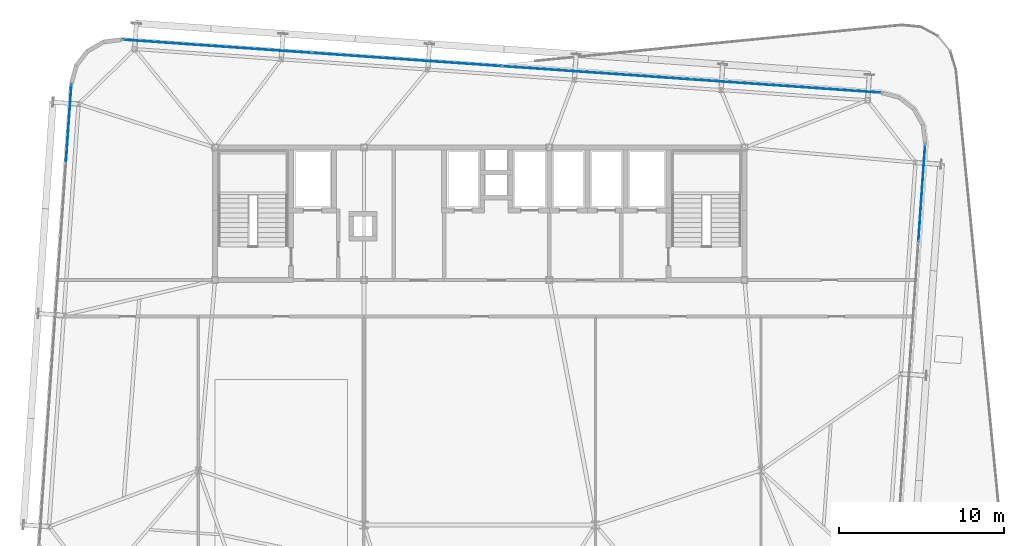
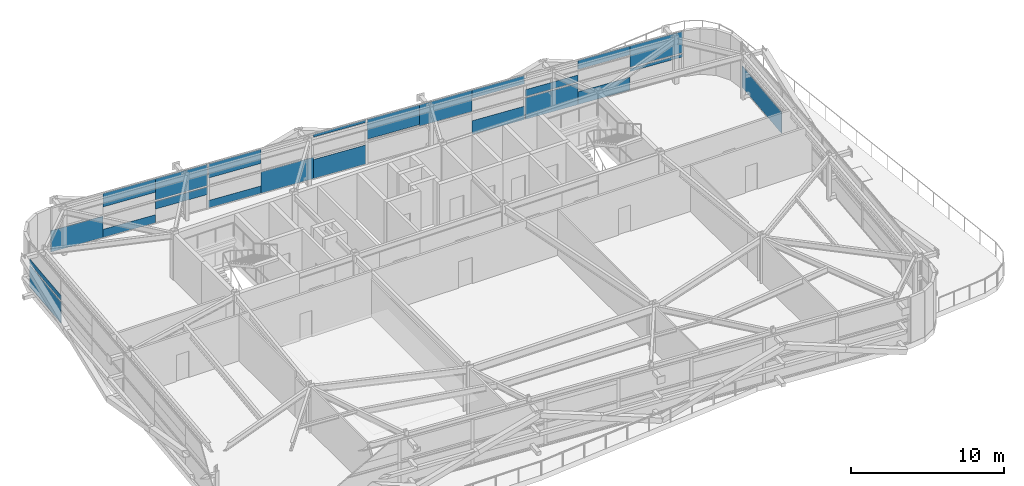
# One storey, part 24 of 36: 23 plates, 5 elements without a shape of their own.
"""IFC4 building model written with IfcOpenShell, lengths in metres."""

from ifc_helpers import new_model, si_unit, direction, frame, origin, origin_2d, place, context, subcontext, project, spatial, rectangle, extrude, source, transform, mapped, material, layer, layer_set, type_object, element, aggregate, save


model = new_model("IFC4")

# Units and contexts
model_context = context("Model", 3, precision=1e-05, world=origin(), true_north=direction((0.0, 1.0)))
body_context = subcontext(model_context, "Body", "Model", "MODEL_VIEW")
ifc_project = project(units=[si_unit("LENGTHUNIT", "METRE"), si_unit("AREAUNIT", "SQUARE_METRE"), si_unit("VOLUMEUNIT", "CUBIC_METRE"), si_unit("PLANEANGLEUNIT", "RADIAN"), si_unit("MASSUNIT", "GRAM", prefix="KILO")], contexts=[model_context])

# Site, building, storey
site_placement = place(None, origin())
site = spatial("IfcSite", under=ifc_project, at=site_placement, CompositionType="ELEMENT")
building_placement = place(site_placement, origin())
building = spatial("IfcBuilding", under=site, at=building_placement, Name="Taldren Reach Tower", CompositionType="ELEMENT")
storey_placement = place(building_placement, frame((0.0, 0.0, 116.550048828125)))
storey = spatial("IfcBuildingStorey", under=building, at=storey_placement, Name="L35", CompositionType="ELEMENT", Elevation=116.550048828125)

# Curtain wall, plate
ifc_material_1 = material(Name="Aluminium and Low-E Glass Unitised System", Category="aluminium")
ifc_layer_1 = layer(ifc_material_1, 0.159912109375)
ifc_layer_set_1 = layer_set([ifc_layer_1], Name="Aluminium and Low-E Glass Unitised System")
curtain_wall_type = type_object("IfcCurtainWallType", Name="CW-SYS-7", PredefinedType="NOTDEFINED", material=ifc_layer_set_1)
curtain_wall_1_placement = place(storey_placement, origin())
curtain_wall_1 = element("IfcCurtainWall", 1, at=curtain_wall_1_placement, inside=storey, type_object=curtain_wall_type, Name="Unitised curtain wall CW-L35-E2", PredefinedType="NOTDEFINED")
ifc_material_2 = material(Name="Acoustic Triple-Laminated IGU", Category="glass")
ifc_layer_2 = layer(ifc_material_2, 0.035888671875)
ifc_layer_set_2 = layer_set([ifc_layer_2], Name="Acoustic Triple-Laminated IGU")
plate_type = type_object("IfcPlateType", Name="CW-PNL-IGU36", PredefinedType="CURTAIN_PANEL", material=ifc_layer_set_2)
shared_shape_1 = source(origin(), body_context, "Body", "SweptSolid", [
    extrude(rectangle(XDim=5.885009765625, YDim=0.035888671875, at=origin_2d()), origin(), (0.0, 0.0, 1.0), 1.695068359375),
])
plate_1_placement = place(storey_placement, frame((61.713134765625, 29.251953125, 0.06005859375), z_axis=(0.0, 0.0, 1.0), x_axis=(0.069756569329, 0.997564043576, 0.0)))
plate_1 = element("IfcPlate", 2, at=plate_1_placement, type_object=plate_type, Name="CW-7 panel 4.1", PredefinedType="CURTAIN_PANEL", context=body_context, shape_type="MappedRepresentation", body=[
    mapped(shared_shape_1, transform((0.0, 0.0, 0.0), scale=1.0)),
])
aggregate(curtain_wall_1, [plate_1])

# Curtain wall, plates
curtain_wall_2_placement = place(storey_placement, origin())
curtain_wall_2 = element("IfcCurtainWall", 3, at=curtain_wall_2_placement, inside=storey, type_object=curtain_wall_type, Name="Unitised curtain wall CW-L35-N", PredefinedType="NOTDEFINED")
shared_shape_2 = source(origin(), body_context, "Body", "SweptSolid", [
    extrude(rectangle(XDim=3.7958984375, YDim=0.035888671875, at=origin_2d()), origin(), (0.0, 0.0, 1.0), 0.230224609375),
])
plate_2_placement = place(storey_placement, frame((57.302001953125, 35.4521484375, 1.52490234375), z_axis=(0.0, 0.0, 1.0), x_axis=(-0.99756404731, 0.06975651593, 0.0)))
plate_2 = element("IfcPlate", 4, at=plate_2_placement, type_object=plate_type, Name="CW-7 panel 1.1 part 1", PredefinedType="CURTAIN_PANEL", context=body_context, shape_type="MappedRepresentation", body=[
    mapped(shared_shape_2, transform((0.0, 0.0, 0.0), scale=1.0)),
])
shared_shape_3 = source(origin(), body_context, "Body", "SweptSolid", [
    extrude(rectangle(XDim=3.7958984375, YDim=0.035888671875, at=origin_2d()), origin(), (0.0, 0.0, 1.0), 1.02001953125),
])
plate_3_placement = place(storey_placement, frame((53.515380859375, 35.717041015625, 0.06005859375), z_axis=(0.0, 0.0, 1.0), x_axis=(-0.99756404731, 0.06975651593, 0.0)))
plate_3 = element("IfcPlate", 5, at=plate_3_placement, type_object=plate_type, Name="CW-7 panel 1.1 part 2", PredefinedType="CURTAIN_PANEL", context=body_context, shape_type="MappedRepresentation", body=[
    mapped(shared_shape_3, transform((0.0, 0.0, 0.0), scale=1.0)),
])
shared_shape_4 = source(origin(), body_context, "Body", "SweptSolid", [
    extrude(rectangle(XDim=3.7958984375, YDim=0.035888671875, at=origin_2d()), origin(), (0.0, 0.0, 1.0), 1.695068359375),
])
plate_4_placement = place(storey_placement, frame((49.728759765625, 35.981689453125, 0.06005859375), z_axis=(0.0, 0.0, 1.0), x_axis=(-0.99756404731, 0.06975651593, 0.0)))
plate_4 = element("IfcPlate", 6, at=plate_4_placement, type_object=plate_type, Name="CW-7 panel 1.1 part 3", PredefinedType="CURTAIN_PANEL", context=body_context, shape_type="MappedRepresentation", body=[
    mapped(shared_shape_4, transform((0.0, 0.0, 0.0), scale=1.0)),
])
plate_5_placement = place(storey_placement, frame((15.350341796875, 38.3857421875, 0.06005859375), z_axis=(0.0, 0.0, 1.0), x_axis=(-0.99756404731, 0.06975651593, 0.0)))
plate_5 = element("IfcPlate", 7, at=plate_5_placement, type_object=plate_type, Name="CW-7 panel 4.1 part 3", PredefinedType="CURTAIN_PANEL", context=body_context, shape_type="MappedRepresentation", body=[
    mapped(shared_shape_4, transform((0.0, 0.0, 0.0), scale=1.0)),
])

curtain_wall_3_placement = place(storey_placement, origin())
curtain_wall_3 = element("IfcCurtainWall", 8, at=curtain_wall_3_placement, inside=storey, type_object=curtain_wall_type, Name="Unitised curtain wall CW-L35-N-T2", PredefinedType="NOTDEFINED")
plate_6_placement = place(storey_placement, frame((57.302001953125, 35.4521484375, 1.875), z_axis=(0.0, 0.0, 1.0), x_axis=(-0.99756404731, 0.06975651593, 0.0)))
plate_6 = element("IfcPlate", 9, at=plate_6_placement, type_object=plate_type, Name="CW-7 panel 1.1 part 1", PredefinedType="CURTAIN_PANEL", context=body_context, shape_type="MappedRepresentation", body=[
    mapped(shared_shape_4, transform((0.0, 0.0, 0.0), scale=1.0)),
])
plate_7_placement = place(storey_placement, frame((22.92333984375, 37.856201171875, 1.875), z_axis=(0.0, 0.0, 1.0), x_axis=(-0.99756404731, 0.06975651593, 0.0)))
plate_7 = element("IfcPlate", 10, at=plate_7_placement, type_object=plate_type, Name="CW-7 panel 4.1 part 1", PredefinedType="CURTAIN_PANEL", context=body_context, shape_type="MappedRepresentation", body=[
    mapped(shared_shape_4, transform((0.0, 0.0, 0.0), scale=1.0)),
])

# Plate
shared_shape_5 = source(origin(), body_context, "Body", "SweptSolid", [
    extrude(rectangle(XDim=3.808349609375, YDim=0.035888671875, at=origin_2d()), origin(), (0.0, 0.0, 1.0), 1.070556640625),
])
plate_8_placement = place(storey_placement, frame((45.861083984375, 36.252197265625, 0.06005859375), z_axis=(0.0, 0.0, 1.0), x_axis=(-0.99756404731, 0.06975651593, 0.0)))
plate_8 = element("IfcPlate", 11, at=plate_8_placement, type_object=plate_type, Name="CW-7 panel 2.1 part 1", PredefinedType="CURTAIN_PANEL", context=body_context, shape_type="MappedRepresentation", body=[
    mapped(shared_shape_5, transform((0.0, 0.0, 0.0), scale=1.0)),
])

shared_shape_6 = source(origin(), body_context, "Body", "SweptSolid", [
    extrude(rectangle(XDim=3.808349609375, YDim=0.035888671875, at=origin_2d()), origin(), (0.0, 0.0, 1.0), 1.515869140625),
])
plate_9_placement = place(storey_placement, frame((34.38916015625, 37.054443359375, 0.06005859375), z_axis=(0.0, 0.0, 1.0), x_axis=(-0.99756404731, 0.06975651593, 0.0)))
plate_9 = element("IfcPlate", 12, at=plate_9_placement, type_object=plate_type, Name="CW-7 panel 3.1 part 1", PredefinedType="CURTAIN_PANEL", context=body_context, shape_type="MappedRepresentation", body=[
    mapped(shared_shape_6, transform((0.0, 0.0, 0.0), scale=1.0)),
])

shared_shape_7 = source(origin(), body_context, "Body", "SweptSolid", [
    extrude(rectangle(XDim=3.808349609375, YDim=0.035888671875, at=origin_2d()), origin(), (0.0, 0.0, 1.0), 1.695068359375),
])
plate_10_placement = place(storey_placement, frame((30.590087890625, 37.320068359375, 0.06005859375), z_axis=(0.0, 0.0, 1.0), x_axis=(-0.99756404731, 0.06975651593, 0.0)))
plate_10 = element("IfcPlate", 13, at=plate_10_placement, type_object=plate_type, Name="CW-7 panel 3.1 part 2", PredefinedType="CURTAIN_PANEL", context=body_context, shape_type="MappedRepresentation", body=[
    mapped(shared_shape_7, transform((0.0, 0.0, 0.0), scale=1.0)),
])

plate_11_placement = place(storey_placement, frame((42.06201171875, 36.517822265625, 1.875), z_axis=(0.0, 0.0, 1.0), x_axis=(-0.99756404731, 0.06975651593, 0.0)))
plate_11 = element("IfcPlate", 14, at=plate_11_placement, type_object=plate_type, Name="CW-7 panel 2.1 part 2", PredefinedType="CURTAIN_PANEL", context=body_context, shape_type="MappedRepresentation", body=[
    mapped(shared_shape_7, transform((0.0, 0.0, 0.0), scale=1.0)),
])

shared_shape_8 = source(origin(), body_context, "Body", "SweptSolid", [
    extrude(rectangle(XDim=3.808349609375, YDim=0.035888671875, at=origin_2d()), origin(), (0.0, 0.0, 1.0), 0.59228515625),
])
plate_12_placement = place(storey_placement, frame((26.791015625, 37.585693359375, 0.06005859375), z_axis=(0.0, 0.0, 1.0), x_axis=(-0.99756404731, 0.06975651593, 0.0)))
plate_12 = element("IfcPlate", 15, at=plate_12_placement, type_object=plate_type, Name="CW-7 panel 3.1 part 3", PredefinedType="CURTAIN_PANEL", context=body_context, shape_type="MappedRepresentation", body=[
    mapped(shared_shape_8, transform((0.0, 0.0, 0.0), scale=1.0)),
])

shared_shape_9 = source(origin(), body_context, "Body", "SweptSolid", [
    extrude(rectangle(XDim=3.7958984375, YDim=0.035888671875, at=origin_2d()), origin(), (0.0, 0.0, 1.0), 0.60302734375),
])
plate_13_placement = place(storey_placement, frame((22.92333984375, 37.856201171875, 1.15185546875), z_axis=(0.0, 0.0, 1.0), x_axis=(-0.99756404731, 0.06975651593, 0.0)))
plate_13 = element("IfcPlate", 16, at=plate_13_placement, type_object=plate_type, Name="CW-7 panel 4.1 part 1", PredefinedType="CURTAIN_PANEL", context=body_context, shape_type="MappedRepresentation", body=[
    mapped(shared_shape_9, transform((0.0, 0.0, 0.0), scale=1.0)),
])

shared_shape_10 = source(origin(), body_context, "Body", "SweptSolid", [
    extrude(rectangle(XDim=3.7958984375, YDim=0.035888671875, at=origin_2d()), origin(), (0.0, 0.0, 1.0), 0.647216796875),
])
plate_14_placement = place(storey_placement, frame((19.13671875, 38.120849609375, 0.06005859375), z_axis=(0.0, 0.0, 1.0), x_axis=(-0.99756404731, 0.06975651593, 0.0)))
plate_14 = element("IfcPlate", 17, at=plate_14_placement, type_object=plate_type, Name="CW-7 panel 4.1 part 2", PredefinedType="CURTAIN_PANEL", context=body_context, shape_type="MappedRepresentation", body=[
    mapped(shared_shape_10, transform((0.0, 0.0, 0.0), scale=1.0)),
])

aggregate(curtain_wall_2, [plate_2, plate_3, plate_4, plate_8, plate_9, plate_10, plate_12, plate_13, plate_14, plate_5])

shared_shape_11 = source(origin(), body_context, "Body", "SweptSolid", [
    extrude(rectangle(XDim=3.7958984375, YDim=0.035888671875, at=origin_2d()), origin(), (0.0, 0.0, 1.0), 0.707275390625),
])
plate_15_placement = place(storey_placement, frame((53.515380859375, 35.717041015625, 2.86279296875), z_axis=(0.0, 0.0, 1.0), x_axis=(-0.99756404731, 0.06975651593, 0.0)))
plate_15 = element("IfcPlate", 18, at=plate_15_placement, type_object=plate_type, Name="CW-7 panel 1.1 part 2", PredefinedType="CURTAIN_PANEL", context=body_context, shape_type="MappedRepresentation", body=[
    mapped(shared_shape_11, transform((0.0, 0.0, 0.0), scale=1.0)),
])

shared_shape_12 = source(origin(), body_context, "Body", "SweptSolid", [
    extrude(rectangle(XDim=3.7958984375, YDim=0.035888671875, at=origin_2d()), origin(), (0.0, 0.0, 1.0), 0.54296875),
])
plate_16_placement = place(storey_placement, frame((49.728759765625, 35.981689453125, 1.875), z_axis=(0.0, 0.0, 1.0), x_axis=(-0.99756404731, 0.06975651593, 0.0)))
plate_16 = element("IfcPlate", 19, at=plate_16_placement, type_object=plate_type, Name="CW-7 panel 1.1 part 3", PredefinedType="CURTAIN_PANEL", context=body_context, shape_type="MappedRepresentation", body=[
    mapped(shared_shape_12, transform((0.0, 0.0, 0.0), scale=1.0)),
])

shared_shape_13 = source(origin(), body_context, "Body", "SweptSolid", [
    extrude(rectangle(XDim=3.808349609375, YDim=0.035888671875, at=origin_2d()), origin(), (0.0, 0.0, 1.0), 0.65234375),
])
plate_17_placement = place(storey_placement, frame((45.861083984375, 36.252197265625, 2.91748046875), z_axis=(0.0, 0.0, 1.0), x_axis=(-0.99756404731, 0.06975651593, 0.0)))
plate_17 = element("IfcPlate", 20, at=plate_17_placement, type_object=plate_type, Name="CW-7 panel 2.1 part 1", PredefinedType="CURTAIN_PANEL", context=body_context, shape_type="MappedRepresentation", body=[
    mapped(shared_shape_13, transform((0.0, 0.0, 0.0), scale=1.0)),
])

shared_shape_14 = source(origin(), body_context, "Body", "SweptSolid", [
    extrude(rectangle(XDim=3.808349609375, YDim=0.035888671875, at=origin_2d()), origin(), (0.0, 0.0, 1.0), 1.575927734375),
])
plate_18_placement = place(storey_placement, frame((38.262939453125, 36.783447265625, 1.994140625), z_axis=(0.0, 0.0, 1.0), x_axis=(-0.99756404731, 0.06975651593, 0.0)))
plate_18 = element("IfcPlate", 21, at=plate_18_placement, type_object=plate_type, Name="CW-7 panel 2.1 part 3", PredefinedType="CURTAIN_PANEL", context=body_context, shape_type="MappedRepresentation", body=[
    mapped(shared_shape_14, transform((0.0, 0.0, 0.0), scale=1.0)),
])

shared_shape_15 = source(origin(), body_context, "Body", "SweptSolid", [
    extrude(rectangle(XDim=3.808349609375, YDim=0.035888671875, at=origin_2d()), origin(), (0.0, 0.0, 1.0), 0.20703125),
])
plate_19_placement = place(storey_placement, frame((34.38916015625, 37.054443359375, 3.36279296875), z_axis=(0.0, 0.0, 1.0), x_axis=(-0.99756404731, 0.06975651593, 0.0)))
plate_19 = element("IfcPlate", 22, at=plate_19_placement, type_object=plate_type, Name="CW-7 panel 3.1 part 1", PredefinedType="CURTAIN_PANEL", context=body_context, shape_type="MappedRepresentation", body=[
    mapped(shared_shape_15, transform((0.0, 0.0, 0.0), scale=1.0)),
])

shared_shape_16 = source(origin(), body_context, "Body", "SweptSolid", [
    extrude(rectangle(XDim=3.808349609375, YDim=0.035888671875, at=origin_2d()), origin(), (0.0, 0.0, 1.0), 1.130615234375),
])
plate_20_placement = place(storey_placement, frame((26.791015625, 37.585693359375, 2.439453125), z_axis=(0.0, 0.0, 1.0), x_axis=(-0.99756404731, 0.06975651593, 0.0)))
plate_20 = element("IfcPlate", 23, at=plate_20_placement, type_object=plate_type, Name="CW-7 panel 3.1 part 2", PredefinedType="CURTAIN_PANEL", context=body_context, shape_type="MappedRepresentation", body=[
    mapped(shared_shape_16, transform((0.0, 0.0, 0.0), scale=1.0)),
])

shared_shape_17 = source(origin(), body_context, "Body", "SweptSolid", [
    extrude(rectangle(XDim=3.7958984375, YDim=0.035888671875, at=origin_2d()), origin(), (0.0, 0.0, 1.0), 1.080078125),
])
plate_21_placement = place(storey_placement, frame((19.13671875, 38.120849609375, 2.489990234375), z_axis=(0.0, 0.0, 1.0), x_axis=(-0.99756404731, 0.06975651593, 0.0)))
plate_21 = element("IfcPlate", 24, at=plate_21_placement, type_object=plate_type, Name="CW-7 panel 4.1 part 2", PredefinedType="CURTAIN_PANEL", context=body_context, shape_type="MappedRepresentation", body=[
    mapped(shared_shape_17, transform((0.0, 0.0, 0.0), scale=1.0)),
])

aggregate(curtain_wall_3, [plate_6, plate_15, plate_16, plate_17, plate_11, plate_18, plate_19, plate_20, plate_7, plate_21])

# Curtain wall, plate
curtain_wall_4_placement = place(storey_placement, origin())
curtain_wall_4 = element("IfcCurtainWall", 25, at=curtain_wall_4_placement, inside=storey, type_object=curtain_wall_type, Name="Unitised curtain wall CW-L35-W", PredefinedType="NOTDEFINED")
shared_shape_18 = source(origin(), body_context, "Body", "SweptSolid", [
    extrude(rectangle(XDim=4.629150390625, YDim=0.035888671875, at=origin_2d()), origin(), (0.0, 0.0, 1.0), 1.695068359375),
])
plate_22_placement = place(storey_placement, frame((10.162841796875, 33.486083984375, 0.06005859375), z_axis=(0.0, 0.0, 1.0), x_axis=(-0.069756437251, -0.997564052812, 0.0)))
plate_22 = element("IfcPlate", 26, at=plate_22_placement, type_object=plate_type, Name="CW-7 panel 1.1 part 1", PredefinedType="CURTAIN_PANEL", context=body_context, shape_type="MappedRepresentation", body=[
    mapped(shared_shape_18, transform((0.0, 0.0, 0.0), scale=1.0)),
])
aggregate(curtain_wall_4, [plate_22])

curtain_wall_5_placement = place(storey_placement, origin())
curtain_wall_5 = element("IfcCurtainWall", 27, at=curtain_wall_5_placement, inside=storey, type_object=curtain_wall_type, Name="Unitised curtain wall CW-L35-W-T2", PredefinedType="NOTDEFINED")
shared_shape_19 = source(origin(), body_context, "Body", "SweptSolid", [
    extrude(rectangle(XDim=4.629150390625, YDim=0.035888671875, at=origin_2d()), origin(), (0.0, 0.0, 1.0), 0.402099609375),
])
plate_23_placement = place(storey_placement, frame((10.162841796875, 33.486083984375, 1.875), z_axis=(0.0, 0.0, 1.0), x_axis=(-0.069756437251, -0.997564052812, 0.0)))
plate_23 = element("IfcPlate", 28, at=plate_23_placement, type_object=plate_type, Name="CW-7 panel 1.1 part 1", PredefinedType="CURTAIN_PANEL", context=body_context, shape_type="MappedRepresentation", body=[
    mapped(shared_shape_19, transform((0.0, 0.0, 0.0), scale=1.0)),
])
aggregate(curtain_wall_5, [plate_23])

save(model, "model.ifc")
